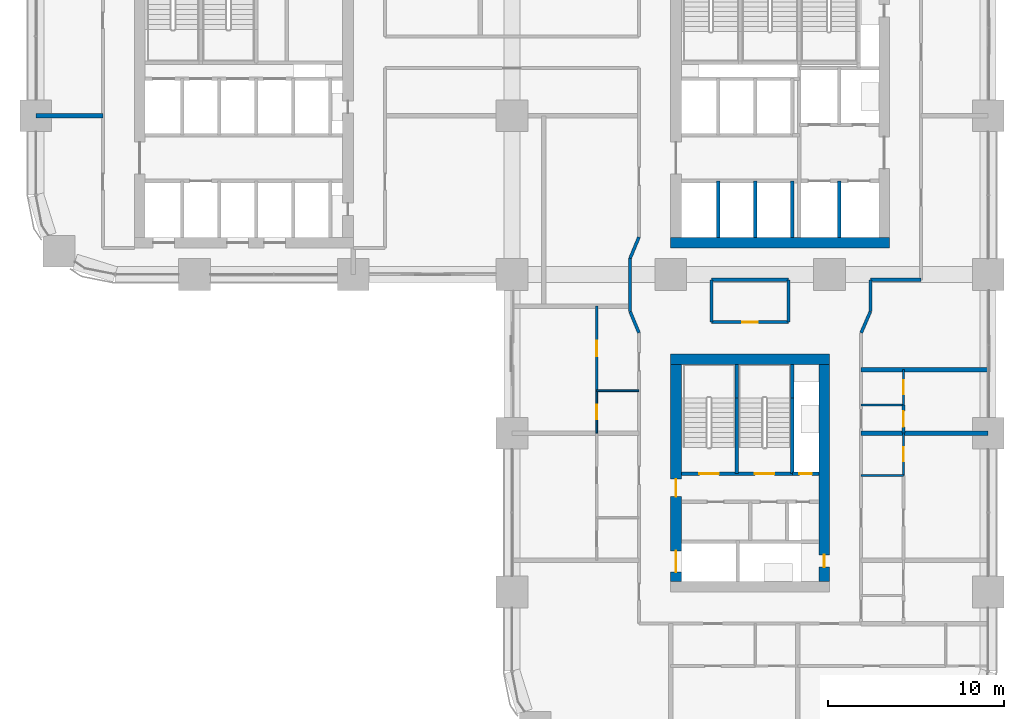
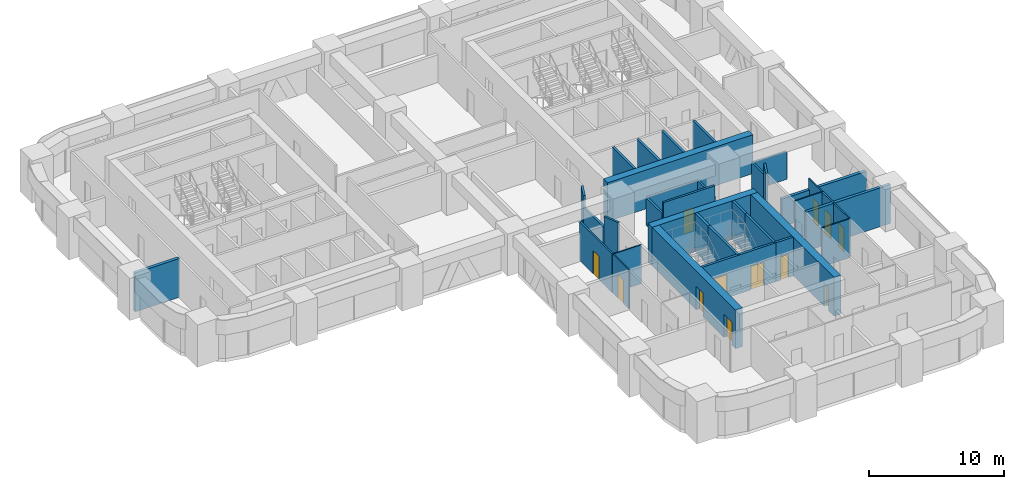
# One storey, part 14 of 24: 35 walls, 12 doors, 12 openings.
"""IFC4 building model written with IfcOpenShell, lengths in metres."""

from ifc_helpers import new_model, si_unit, direction, frame, frame_2d, origin, place, context, subcontext, project, spatial, rectangle, extrude, material, layer, layer_set, type_object, element, fill, save


model = new_model("IFC4")

# Units and contexts
model_context = context("Model", 3, precision=1e-05, world=origin(), true_north=direction((0.0, 1.0)))
body_context = subcontext(model_context, "Body", "Model", "MODEL_VIEW")
ifc_project = project(units=[si_unit("LENGTHUNIT", "METRE"), si_unit("AREAUNIT", "SQUARE_METRE"), si_unit("VOLUMEUNIT", "CUBIC_METRE"), si_unit("PLANEANGLEUNIT", "RADIAN"), si_unit("MASSUNIT", "GRAM", prefix="KILO")], contexts=[model_context])

# Site, building, storey
site_placement = place(None, origin())
site = spatial("IfcSite", under=ifc_project, at=site_placement, CompositionType="ELEMENT")
building_placement = place(site_placement, origin())
building = spatial("IfcBuilding", under=site, at=building_placement, Name="Tessera Arch", CompositionType="ELEMENT")
storey_placement = place(building_placement, frame((0.0, 0.0, 112.0)))
storey = spatial("IfcBuildingStorey", under=building, at=storey_placement, Name="L26", CompositionType="ELEMENT", Elevation=112.0)

# Walls
ifc_material_1 = material(Name="Concrete C70/85", Category="concrete")
ifc_layer_1 = layer(ifc_material_1, 0.60009765625)
ifc_layer_set_1 = layer_set([ifc_layer_1], Name="Core shell wall 600 C70-85")
wall_type_1 = type_object("IfcWallType", Name="Core shell wall 600 C70-85", PredefinedType="SHEAR", material=ifc_layer_set_1)
wall_1_placement = place(storey_placement, frame((36.0, 28.800048828125, 0.0), z_axis=(0.0, 0.0, 1.0), x_axis=(1.0, 0.0, 0.0)))
element("IfcWall", 1, at=wall_1_placement, inside=storey, type_object=wall_type_1, Name="L26 C1 core wall S", PredefinedType="SHEAR", context=body_context, shape_type="SweptSolid", body=[
    extrude(rectangle(XDim=12.39990234375, YDim=0.60009765625, at=frame_2d((6.199951171875, 0.0))), origin(), (0.0, 0.0, 1.0), 3.5),
])
wall_2_placement = place(storey_placement, frame((36.0, 22.199951171875, 0.0), z_axis=(0.0, 0.0, 1.0), x_axis=(1.0, 0.0, 0.0)))
element("IfcWall", 2, at=wall_2_placement, inside=storey, type_object=wall_type_1, Name="L26 C3 core wall N", PredefinedType="SHEAR", context=body_context, shape_type="SweptSolid", body=[
    extrude(rectangle(XDim=9.0, YDim=0.60009765625, at=frame_2d((4.5, 0.0))), origin(), (0.0, 0.0, 1.0), 3.5),
])

# Wall, openings, doors
wall_3_placement = place(storey_placement, frame((36.300048828125, 9.60009765625, 0.0), z_axis=(0.0, 0.0, 1.0), x_axis=(0.0, 1.0, 0.0)))
wall_3 = element("IfcWall", 3, at=wall_3_placement, inside=storey, type_object=wall_type_1, Name="L26 C3 core wall W", PredefinedType="SHEAR", context=body_context, shape_type="SweptSolid", body=[
    extrude(rectangle(XDim=12.2998046875, YDim=0.60009765625, at=frame_2d((6.14990234375, 0.0))), origin(), (0.0, 0.0, 1.0), 3.5),
])
opening_1_placement = place(wall_3_placement, frame((0.52490234375, 0.0, 0.0)))
opening_1 = element("IfcOpeningElement", 4, at=opening_1_placement, cuts=wall_3, Name="Opening L26-C33", PredefinedType="OPENING", context=body_context, shape_type="SweptSolid", body=[
    extrude(rectangle(XDim=1.199951171875, YDim=2.10009765625, at=frame_2d((0.60009765625, 1.050048828125))), frame((0.0, 0.31005859375, 0.0), z_axis=(0.0, -1.0, 0.0), x_axis=(1.0, 0.0, 0.0)), (0.0, 0.0, 1.0), 0.6201171875),
])
opening_2_placement = place(wall_3_placement, frame((4.800048828125, 0.0, 0.0)))
opening_2 = element("IfcOpeningElement", 5, at=opening_2_placement, cuts=wall_3, Name="Opening L26-C39", PredefinedType="OPENING", context=body_context, shape_type="SweptSolid", body=[
    extrude(rectangle(XDim=1.0, YDim=2.10009765625, at=frame_2d((0.5, 1.050048828125))), frame((0.0, 0.31005859375, 0.0), z_axis=(0.0, -1.0, 0.0), x_axis=(1.0, 0.0, 0.0)), (0.0, 0.0, 1.0), 0.6201171875),
])
ifc_material_2 = material(Name="Steel door leaf", Category="steel")
door_type_1 = type_object("IfcDoorType", Name="Corridor door FD60 1000 x 2100", OperationType="SINGLE_SWING_LEFT", PredefinedType="DOOR", material=ifc_material_2)
door_1_placement = place(opening_2_placement, origin())
door_1 = element("IfcDoor", 6, at=door_1_placement, inside=storey, type_object=door_type_1, Name="L26 C3 door 7 C39 type D12", OperationType="SINGLE_SWING_LEFT", OverallHeight=2.10009765625, OverallWidth=1.0, PredefinedType="DOOR", context=body_context, shape_type="SweptSolid", body=[
    extrude(rectangle(XDim=1.0, YDim=2.10009765625, at=frame_2d((0.5, 1.050048828125))), frame((0.0, 0.02490234375, 0.0), z_axis=(0.0, -1.0, 0.0), x_axis=(1.0, 0.0, 0.0)), (0.0, 0.0, 1.0), 0.050048828125),
])
fill(opening_2, door_1)
ifc_material_3 = material(Name="Stainless steel AISI 304", Category="steel")
door_type_2 = type_object("IfcDoorType", Name="Sliding landing door 1200 x 2100", OperationType="SLIDING_TO_LEFT", PredefinedType="DOOR", material=ifc_material_3)
door_2_placement = place(opening_1_placement, origin())
door_2 = element("IfcDoor", 7, at=door_2_placement, inside=storey, type_object=door_type_2, Name="L26 SV1 lift landing door C33 type LD", OperationType="SLIDING_TO_LEFT", OverallHeight=2.10009765625, OverallWidth=1.199951171875, PredefinedType="DOOR", context=body_context, shape_type="SweptSolid", body=[
    extrude(rectangle(XDim=1.199951171875, YDim=2.10009765625, at=frame_2d((0.60009765625, 1.050048828125))), frame((0.0, 0.02490234375, 0.0), z_axis=(0.0, -1.0, 0.0), x_axis=(1.0, 0.0, 0.0)), (0.0, 0.0, 1.0), 0.050048828125),
])
fill(opening_1, door_2)

# Wall, opening, door
wall_4_placement = place(storey_placement, frame((44.699951171875, 9.60009765625, 0.0), z_axis=(0.0, 0.0, 1.0), x_axis=(0.0, 1.0, 0.0)))
wall_4 = element("IfcWall", 8, at=wall_4_placement, inside=storey, type_object=wall_type_1, Name="L26 C3 core wall E", PredefinedType="SHEAR", context=body_context, shape_type="SweptSolid", body=[
    extrude(rectangle(XDim=12.2998046875, YDim=0.60009765625, at=frame_2d((6.14990234375, 0.0))), origin(), (0.0, 0.0, 1.0), 3.5),
])
opening_3_placement = place(wall_4_placement, frame((0.800048828125, 0.0, 0.0)))
opening_3 = element("IfcOpeningElement", 9, at=opening_3_placement, cuts=wall_4, Name="Opening L26-C38", PredefinedType="OPENING", context=body_context, shape_type="SweptSolid", body=[
    extrude(rectangle(XDim=0.699951171875, YDim=2.10009765625, at=frame_2d((0.35009765625, 1.050048828125))), frame((0.0, 0.31005859375, 0.0), z_axis=(0.0, -1.0, 0.0), x_axis=(1.0, 0.0, 0.0)), (0.0, 0.0, 1.0), 0.6201171875),
])
ifc_material_4 = material(Name="Steel door leaf", Category="steel")
door_type_3 = type_object("IfcDoorType", Name="Service shaft door FD60 700 x 2100", OperationType="SINGLE_SWING_LEFT", PredefinedType="DOOR", material=ifc_material_4)
door_3_placement = place(opening_3_placement, origin())
door_3 = element("IfcDoor", 10, at=door_3_placement, inside=storey, type_object=door_type_3, Name="L26 C3 door 6 C38 type D07", OperationType="SINGLE_SWING_LEFT", OverallHeight=2.10009765625, OverallWidth=0.699951171875, PredefinedType="DOOR", context=body_context, shape_type="SweptSolid", body=[
    extrude(rectangle(XDim=0.699951171875, YDim=2.10009765625, at=frame_2d((0.35009765625, 1.050048828125))), frame((0.0, 0.02490234375, 0.0), z_axis=(0.0, -1.0, 0.0), x_axis=(1.0, 0.0, 0.0)), (0.0, 0.0, 1.0), 0.050048828125),
])
fill(opening_3, door_3)

ifc_material_5 = material(Name="Gypsum board on deep steel stud with mineral wool", Category="steel")
ifc_layer_2 = layer(ifc_material_5, 0.175048828125)
ifc_layer_set_2 = layer_set([ifc_layer_2], Name="Corridor wall 175 EI 60")
wall_type_2 = type_object("IfcWallType", Name="Corridor wall 175 EI 60", PredefinedType="PARTITIONING", material=ifc_layer_set_2)
wall_5_placement = place(storey_placement, frame((38.320068359375, 24.300048828125, 0.0), z_axis=(0.0, 0.0, 1.0), x_axis=(1.0, 0.0, 0.0)))
wall_5 = element("IfcWall", 11, at=wall_5_placement, inside=storey, type_object=wall_type_2, Name="L26 partition 2", PredefinedType="PARTITIONING", context=body_context, shape_type="SweptSolid", body=[
    extrude(rectangle(XDim=4.35986328125, YDim=0.175048828125, at=frame_2d((2.179931640625, 0.0))), origin(), (0.0, 0.0, 1.0), 3.5),
])
opening_4_placement = place(wall_5_placement, frame((1.72998046875, 0.0, 0.0)))
opening_4 = element("IfcOpeningElement", 12, at=opening_4_placement, cuts=wall_5, Name="Opening L26-D023", PredefinedType="OPENING", context=body_context, shape_type="SweptSolid", body=[
    extrude(rectangle(XDim=0.89990234375, YDim=2.10009765625, at=frame_2d((0.449951171875, 1.050048828125))), frame((0.0, 0.097412109375, 0.0), z_axis=(0.0, -1.0, 0.0), x_axis=(1.0, 0.0, 0.0)), (0.0, 0.0, 1.0), 0.195068359375),
])
ifc_material_6 = material(Name="Timber door leaf", Category="wood")
door_type_4 = type_object("IfcDoorType", Name="Room door 900 x 2100", OperationType="SINGLE_SWING_LEFT", PredefinedType="DOOR", material=ifc_material_6)
door_4_placement = place(opening_4_placement, origin())
door_4 = element("IfcDoor", 13, at=door_4_placement, inside=storey, type_object=door_type_4, Name="L26 door D023 type D01", OperationType="SINGLE_SWING_LEFT", OverallHeight=2.10009765625, OverallWidth=0.89990234375, PredefinedType="DOOR", context=body_context, shape_type="SweptSolid", body=[
    extrude(rectangle(XDim=0.89990234375, YDim=2.10009765625, at=frame_2d((0.449951171875, 1.050048828125))), frame((0.0, 0.02490234375, 0.0), z_axis=(0.0, -1.0, 0.0), x_axis=(1.0, 0.0, 0.0)), (0.0, 0.0, 1.0), 0.050048828125),
])
fill(opening_4, door_4)

# Walls
wall_6_placement = place(storey_placement, frame((38.320068359375, 26.699951171875, 0.0), z_axis=(0.0, 0.0, 1.0), x_axis=(1.0, 0.0, 0.0)))
element("IfcWall", 14, at=wall_6_placement, inside=storey, type_object=wall_type_2, Name="L26 partition 3", PredefinedType="PARTITIONING", context=body_context, shape_type="SweptSolid", body=[
    extrude(rectangle(XDim=4.35986328125, YDim=0.175048828125, at=frame_2d((2.179931640625, 0.0))), origin(), (0.0, 0.0, 1.0), 2.5),
])
wall_7_placement = place(storey_placement, frame((47.320068359375, 26.699951171875, 0.0), z_axis=(0.0, 0.0, 1.0), x_axis=(1.0, 0.0, 0.0)))
element("IfcWall", 15, at=wall_7_placement, inside=storey, type_object=wall_type_2, Name="L26 partition 4", PredefinedType="PARTITIONING", context=body_context, shape_type="SweptSolid", body=[
    extrude(rectangle(XDim=2.8798828125, YDim=0.175048828125, at=frame_2d((1.43994140625, 0.0))), origin(), (0.0, 0.0, 1.0), 2.5),
])
wall_8_placement = place(storey_placement, frame((33.699951171875, 24.889892578125, 0.0), z_axis=(0.0, 0.0, 1.0), x_axis=(0.0, 1.0, 0.0)))
element("IfcWall", 16, at=wall_8_placement, inside=storey, type_object=wall_type_2, Name="L26 partition 14", PredefinedType="PARTITIONING", context=body_context, shape_type="SweptSolid", body=[
    extrude(rectangle(XDim=3.030029296875, YDim=0.175048828125, at=frame_2d((1.51513671875, 0.0))), origin(), (0.0, 0.0, 1.0), 2.5),
])
for number, where, z_axis, x_axis, name in (
    (17, (38.320068359375, 24.300048828125, 0.0), (0.0, 0.0, 1.0), (0.0, 1.0, 0.0), "L26 partition 18"),
    (18, (42.679931640625, 24.300048828125, 0.0), (0.0, 0.0, 1.0), (0.0, 1.0, 0.0), "L26 partition 19"),
):
    element("IfcWall", number, at=place(storey_placement, frame(where, z_axis=z_axis, x_axis=x_axis)), inside=storey, type_object=wall_type_2, Name=name, PredefinedType="PARTITIONING", context=body_context, shape_type="SweptSolid", body=[
        extrude(rectangle(XDim=2.39990234375, YDim=0.175048828125, at=frame_2d((1.199951171875, 0.0))), origin(), (0.0, 0.0, 1.0), 2.5),
    ])
wall_9_placement = place(storey_placement, frame((47.320068359375, 24.889892578125, 0.0), z_axis=(0.0, 0.0, 1.0), x_axis=(0.0, 1.0, 0.0)))
element("IfcWall", 19, at=wall_9_placement, inside=storey, type_object=wall_type_2, Name="L26 partition 21", PredefinedType="PARTITIONING", context=body_context, shape_type="SweptSolid", body=[
    extrude(rectangle(XDim=1.81005859375, YDim=0.175048828125, at=frame_2d((0.905029296875, 0.0))), origin(), (0.0, 0.0, 1.0), 2.5),
])
wall_10_placement = place(storey_placement, frame((34.199951171875, 23.68994140625, 0.0), z_axis=(0.0, 0.0, 1.0), x_axis=(-0.384628719983, 0.923071366561, 0.0)))
element("IfcWall", 20, at=wall_10_placement, inside=storey, type_object=wall_type_2, Name="L26 partition 66", PredefinedType="PARTITIONING", context=body_context, shape_type="SweptSolid", body=[
    extrude(rectangle(XDim=1.300048828125, YDim=0.175048828125, at=frame_2d((0.64990234375, 0.0))), origin(), (0.0, 0.0, 1.0), 3.5),
])
wall_11_placement = place(storey_placement, frame((47.320068359375, 24.889892578125, 0.0), z_axis=(0.0, 0.0, 1.0), x_axis=(-0.397633632391, -0.917544273804, 0.0)))
element("IfcWall", 21, at=wall_11_placement, inside=storey, type_object=wall_type_2, Name="L26 partition 67", PredefinedType="PARTITIONING", context=body_context, shape_type="SweptSolid", body=[
    extrude(rectangle(XDim=1.307861328125, YDim=0.175048828125, at=frame_2d((0.65380859375, 0.0))), origin(), (0.0, 0.0, 1.0), 3.5),
])
wall_12_placement = place(storey_placement, frame((33.699951171875, 27.919921875, 0.0), z_axis=(0.0, 0.0, 1.0), x_axis=(0.384562051588, 0.923099143363, 0.0)))
element("IfcWall", 22, at=wall_12_placement, inside=storey, type_object=wall_type_2, Name="L26 partition 68", PredefinedType="PARTITIONING", context=body_context, shape_type="SweptSolid", body=[
    extrude(rectangle(XDim=1.30029296875, YDim=0.175048828125, at=frame_2d((0.650146484375, 0.0))), origin(), (0.0, 0.0, 1.0), 3.5),
])

# Wall, opening, door
ifc_material_7 = material(Name="Gypsum board on steel stud", Category="steel")
ifc_layer_3 = layer(ifc_material_7, 0.14990234375)
ifc_layer_set_3 = layer_set([ifc_layer_3], Name="Partition 150")
wall_type_3 = type_object("IfcWallType", Name="Partition 150", PredefinedType="PARTITIONING", material=ifc_layer_set_3)
wall_13_placement = place(storey_placement, frame((31.800048828125, 20.39990234375, 0.0), z_axis=(0.0, 0.0, 1.0), x_axis=(0.0, 1.0, 0.0)))
wall_13 = element("IfcWall", 23, at=wall_13_placement, inside=storey, type_object=wall_type_3, Name="L26 partition 26", PredefinedType="PARTITIONING", context=body_context, shape_type="SweptSolid", body=[
    extrude(rectangle(XDim=4.800048828125, YDim=0.14990234375, at=frame_2d((2.39990234375, 0.0))), origin(), (0.0, 0.0, 1.0), 3.5),
])
opening_5_placement = place(wall_13_placement, frame((1.949951171875, 0.0, 0.0)))
opening_5 = element("IfcOpeningElement", 24, at=opening_5_placement, cuts=wall_13, Name="Opening L26-D021", PredefinedType="OPENING", context=body_context, shape_type="SweptSolid", body=[
    extrude(rectangle(XDim=0.89990234375, YDim=2.10009765625, at=frame_2d((0.449951171875, 1.050048828125))), frame((0.0, 0.0849609375, 0.0), z_axis=(0.0, -1.0, 0.0), x_axis=(1.0, 0.0, 0.0)), (0.0, 0.0, 1.0), 0.169921875),
])
door_5_placement = place(opening_5_placement, origin())
door_5 = element("IfcDoor", 25, at=door_5_placement, inside=storey, type_object=door_type_4, Name="L26 door D021 type D01", OperationType="SINGLE_SWING_LEFT", OverallHeight=2.10009765625, OverallWidth=0.89990234375, PredefinedType="DOOR", context=body_context, shape_type="SweptSolid", body=[
    extrude(rectangle(XDim=0.89990234375, YDim=2.10009765625, at=frame_2d((0.449951171875, 1.050048828125))), frame((0.0, 0.02490234375, 0.0), z_axis=(0.0, -1.0, 0.0), x_axis=(1.0, 0.0, 0.0)), (0.0, 0.0, 1.0), 0.050048828125),
])
fill(opening_5, door_5)

wall_14_placement = place(storey_placement, frame((49.199951171875, 18.0, 0.0), z_axis=(0.0, 0.0, 1.0), x_axis=(0.0, 1.0, 0.0)))
wall_14 = element("IfcWall", 26, at=wall_14_placement, inside=storey, type_object=wall_type_3, Name="L26 partition 29", PredefinedType="PARTITIONING", context=body_context, shape_type="SweptSolid", body=[
    extrude(rectangle(XDim=1.60009765625, YDim=0.14990234375, at=frame_2d((0.800048828125, 0.0))), origin(), (0.0, 0.0, 1.0), 3.5),
])
opening_6_placement = place(wall_14_placement, frame((0.35009765625, 0.0, 0.0)))
opening_6 = element("IfcOpeningElement", 27, at=opening_6_placement, cuts=wall_14, Name="Opening L26-D018", PredefinedType="OPENING", context=body_context, shape_type="SweptSolid", body=[
    extrude(rectangle(XDim=0.89990234375, YDim=2.10009765625, at=frame_2d((0.449951171875, 1.050048828125))), frame((0.0, 0.0849609375, 0.0), z_axis=(0.0, -1.0, 0.0), x_axis=(1.0, 0.0, 0.0)), (0.0, 0.0, 1.0), 0.169921875),
])
door_6_placement = place(opening_6_placement, origin())
door_6 = element("IfcDoor", 28, at=door_6_placement, inside=storey, type_object=door_type_4, Name="L26 door D018 type D01", OperationType="SINGLE_SWING_LEFT", OverallHeight=2.10009765625, OverallWidth=0.89990234375, PredefinedType="DOOR", context=body_context, shape_type="SweptSolid", body=[
    extrude(rectangle(XDim=0.89990234375, YDim=2.10009765625, at=frame_2d((0.449951171875, 1.050048828125))), frame((0.0, 0.02490234375, 0.0), z_axis=(0.0, -1.0, 0.0), x_axis=(1.0, 0.0, 0.0)), (0.0, 0.0, 1.0), 0.050048828125),
])
fill(opening_6, door_6)

# Walls
ifc_material_8 = material(Name="Double gypsum board on twin steel stud with acoustic mineral wool", Category="steel")
ifc_layer_4 = layer(ifc_material_8, 0.25)
ifc_layer_set_4 = layer_set([ifc_layer_4], Name="Party wall 250 EI 60")
wall_type_4 = type_object("IfcWallType", Name="Party wall 250 EI 60", PredefinedType="PARTITIONING", material=ifc_layer_set_4)
wall_15_placement = place(storey_placement, frame((46.800048828125, 18.0, 0.0), z_axis=(0.0, 0.0, 1.0), x_axis=(1.0, 0.0, 0.0)))
element("IfcWall", 29, at=wall_15_placement, inside=storey, type_object=wall_type_4, Name="L26 partition 34", PredefinedType="PARTITIONING", context=body_context, shape_type="SweptSolid", body=[
    extrude(rectangle(XDim=7.199951171875, YDim=0.25, at=frame_2d((3.60009765625, 0.0))), origin(), (0.0, 0.0, 1.0), 3.5),
])
wall_16_placement = place(storey_placement, frame((46.800048828125, 21.60009765625, 0.0), z_axis=(0.0, 0.0, 1.0), x_axis=(1.0, 0.0, 0.0)))
element("IfcWall", 30, at=wall_16_placement, inside=storey, type_object=wall_type_4, Name="L26 partition 35", PredefinedType="PARTITIONING", context=body_context, shape_type="SweptSolid", body=[
    extrude(rectangle(XDim=7.199951171875, YDim=0.25, at=frame_2d((3.60009765625, 0.0))), origin(), (0.0, 0.0, 1.0), 2.5),
])
wall_17_placement = place(storey_placement, frame((0.0, 36.0, 0.0), z_axis=(0.0, 0.0, 1.0), x_axis=(1.0, 0.0, 0.0)))
element("IfcWall", 31, at=wall_17_placement, inside=storey, type_object=wall_type_4, Name="L26 partition 37", PredefinedType="PARTITIONING", context=body_context, shape_type="SweptSolid", body=[
    extrude(rectangle(XDim=3.800048828125, YDim=0.25, at=frame_2d((1.89990234375, 0.0))), origin(), (0.0, 0.0, 1.0), 3.5),
])
ifc_material_9 = material(Name="Concrete C40/50", Category="concrete")
ifc_layer_5 = layer(ifc_material_9, 0.199951171875)
ifc_layer_set_5 = layer_set([ifc_layer_5], Name="Shaft wall 200 EI 120")
wall_type_5 = type_object("IfcWallType", Name="Shaft wall 200 EI 120", PredefinedType="SOLIDWALL", material=ifc_layer_set_5)
for number, where, z_axis, x_axis, name in (
    (32, (38.699951171875, 29.10009765625, 0.0), (0.0, 0.0, 1.0), (0.0, 1.0, 0.0), "L26 C1 shaft wall 1"),
    (33, (40.800048828125, 29.10009765625, 0.0), (0.0, 0.0, 1.0), (0.0, 1.0, 0.0), "L26 C1 shaft wall 5"),
    (34, (42.89990234375, 29.10009765625, 0.0), (0.0, 0.0, 1.0), (0.0, 1.0, 0.0), "L26 C1 shaft wall 8"),
    (35, (45.550048828125, 29.10009765625, 0.0), (0.0, 0.0, 1.0), (0.0, 1.0, 0.0), "L26 C1 shaft wall 13"),
):
    element("IfcWall", number, at=place(storey_placement, frame(where, z_axis=z_axis, x_axis=x_axis)), inside=storey, type_object=wall_type_5, Name=name, PredefinedType="SOLIDWALL", context=body_context, shape_type="SweptSolid", body=[
        extrude(rectangle(XDim=3.199951171875, YDim=0.199951171875, at=frame_2d((1.60009765625, 0.0))), origin(), (0.0, 0.0, 1.0), 3.5),
    ])

# Wall, opening, door
wall_18_placement = place(storey_placement, frame((42.89990234375, 15.699951171875, 0.0), z_axis=(0.0, 0.0, 1.0), x_axis=(1.0, 0.0, 0.0)))
wall_18 = element("IfcWall", 36, at=wall_18_placement, inside=storey, type_object=wall_type_5, Name="L26 C3 shaft wall 11", PredefinedType="SOLIDWALL", context=body_context, shape_type="SweptSolid", body=[
    extrude(rectangle(XDim=1.5, YDim=0.199951171875, at=frame_2d((0.75, 0.0))), origin(), (0.0, 0.0, 1.0), 3.5),
])
opening_7_placement = place(wall_18_placement, frame((0.39990234375, 0.0, 0.0)))
opening_7 = element("IfcOpeningElement", 37, at=opening_7_placement, cuts=wall_18, Name="Opening L26-C36", PredefinedType="OPENING", context=body_context, shape_type="SweptSolid", body=[
    extrude(rectangle(XDim=0.699951171875, YDim=2.10009765625, at=frame_2d((0.35009765625, 1.050048828125))), frame((0.0, 0.10986328125, 0.0), z_axis=(0.0, -1.0, 0.0), x_axis=(1.0, 0.0, 0.0)), (0.0, 0.0, 1.0), 0.219970703125),
])
door_7_placement = place(opening_7_placement, origin())
door_7 = element("IfcDoor", 38, at=door_7_placement, inside=storey, type_object=door_type_3, Name="L26 C3 door 4 C36 type D07", OperationType="SINGLE_SWING_LEFT", OverallHeight=2.10009765625, OverallWidth=0.699951171875, PredefinedType="DOOR", context=body_context, shape_type="SweptSolid", body=[
    extrude(rectangle(XDim=0.699951171875, YDim=2.10009765625, at=frame_2d((0.35009765625, 1.050048828125))), frame((0.0, 0.02490234375, 0.0), z_axis=(0.0, -1.0, 0.0), x_axis=(1.0, 0.0, 0.0)), (0.0, 0.0, 1.0), 0.050048828125),
])
fill(opening_7, door_7)

# Walls
ifc_material_10 = material(Name="Concrete C40/50", Category="concrete")
ifc_layer_6 = layer(ifc_material_10, 0.199951171875)
ifc_layer_set_6 = layer_set([ifc_layer_6], Name="Stair well wall 200 REI 180")
wall_type_6 = type_object("IfcWallType", Name="Stair well wall 200 REI 180", PredefinedType="SOLIDWALL", material=ifc_layer_set_6)
wall_19_placement = place(storey_placement, frame((39.75, 15.699951171875, 0.0), z_axis=(0.0, 0.0, 1.0), x_axis=(0.0, 1.0, 0.0)))
element("IfcWall", 39, at=wall_19_placement, inside=storey, type_object=wall_type_6, Name="L26 C3 shaft wall 1", PredefinedType="SOLIDWALL", context=body_context, shape_type="SweptSolid", body=[
    extrude(rectangle(XDim=4.300048828125, YDim=0.199951171875, at=frame_2d((2.14990234375, 0.0))), origin(), (0.0, 0.0, 1.0), 3.5),
])
wall_20_placement = place(storey_placement, frame((39.75, 20.0, 0.0), z_axis=(0.0, 0.0, 1.0), x_axis=(0.0, 1.0, 0.0)))
element("IfcWall", 40, at=wall_20_placement, inside=storey, type_object=wall_type_6, Name="L26 C3 shaft wall 2", PredefinedType="SOLIDWALL", context=body_context, shape_type="SweptSolid", body=[
    extrude(rectangle(XDim=1.89990234375, YDim=0.199951171875, at=frame_2d((0.949951171875, 0.0))), origin(), (0.0, 0.0, 1.0), 3.5),
])
wall_21_placement = place(storey_placement, frame((42.89990234375, 15.699951171875, 0.0), z_axis=(0.0, 0.0, 1.0), x_axis=(0.0, 1.0, 0.0)))
element("IfcWall", 41, at=wall_21_placement, inside=storey, type_object=wall_type_6, Name="L26 C3 shaft wall 6", PredefinedType="SOLIDWALL", context=body_context, shape_type="SweptSolid", body=[
    extrude(rectangle(XDim=4.300048828125, YDim=0.199951171875, at=frame_2d((2.14990234375, 0.0))), origin(), (0.0, 0.0, 1.0), 3.5),
])
wall_22_placement = place(storey_placement, frame((42.89990234375, 20.0, 0.0), z_axis=(0.0, 0.0, 1.0), x_axis=(0.0, 1.0, 0.0)))
element("IfcWall", 42, at=wall_22_placement, inside=storey, type_object=wall_type_6, Name="L26 C3 shaft wall 7", PredefinedType="SOLIDWALL", context=body_context, shape_type="SweptSolid", body=[
    extrude(rectangle(XDim=1.89990234375, YDim=0.199951171875, at=frame_2d((0.949951171875, 0.0))), origin(), (0.0, 0.0, 1.0), 3.5),
])

# Wall, openings, doors
wall_23_placement = place(storey_placement, frame((36.60009765625, 15.699951171875, 0.0), z_axis=(0.0, 0.0, 1.0), x_axis=(1.0, 0.0, 0.0)))
wall_23 = element("IfcWall", 43, at=wall_23_placement, inside=storey, type_object=wall_type_6, Name="L26 C3 shaft wall 12", PredefinedType="SOLIDWALL", context=body_context, shape_type="SweptSolid", body=[
    extrude(rectangle(XDim=6.2998046875, YDim=0.199951171875, at=frame_2d((3.14990234375, 0.0))), origin(), (0.0, 0.0, 1.0), 3.5),
])
opening_8_placement = place(wall_23_placement, frame((1.02490234375, 0.0, 0.0)))
opening_8 = element("IfcOpeningElement", 44, at=opening_8_placement, cuts=wall_23, Name="Opening L26-C34", PredefinedType="OPENING", context=body_context, shape_type="SweptSolid", body=[
    extrude(rectangle(XDim=1.10009765625, YDim=2.10009765625, at=frame_2d((0.550048828125, 1.050048828125))), frame((0.0, 0.10986328125, 0.0), z_axis=(0.0, -1.0, 0.0), x_axis=(1.0, 0.0, 0.0)), (0.0, 0.0, 1.0), 0.219970703125),
])
opening_9_placement = place(wall_23_placement, frame((4.175048828125, 0.0, 0.0)))
opening_9 = element("IfcOpeningElement", 45, at=opening_9_placement, cuts=wall_23, Name="Opening L26-C35", PredefinedType="OPENING", context=body_context, shape_type="SweptSolid", body=[
    extrude(rectangle(XDim=1.10009765625, YDim=2.10009765625, at=frame_2d((0.550048828125, 1.050048828125))), frame((0.0, 0.10986328125, 0.0), z_axis=(0.0, -1.0, 0.0), x_axis=(1.0, 0.0, 0.0)), (0.0, 0.0, 1.0), 0.219970703125),
])
ifc_material_11 = material(Name="Steel door leaf", Category="steel")
door_type_5 = type_object("IfcDoorType", Name="Stair door FD60 1100 x 2100", OperationType="SINGLE_SWING_LEFT", PredefinedType="DOOR", material=ifc_material_11)
door_8_placement = place(opening_8_placement, origin())
door_8 = element("IfcDoor", 46, at=door_8_placement, inside=storey, type_object=door_type_5, Name="L26 C3 door 2 C34 type D05", OperationType="SINGLE_SWING_LEFT", OverallHeight=2.10009765625, OverallWidth=1.10009765625, PredefinedType="DOOR", context=body_context, shape_type="SweptSolid", body=[
    extrude(rectangle(XDim=1.10009765625, YDim=2.10009765625, at=frame_2d((0.550048828125, 1.050048828125))), frame((0.0, 0.02490234375, 0.0), z_axis=(0.0, -1.0, 0.0), x_axis=(1.0, 0.0, 0.0)), (0.0, 0.0, 1.0), 0.050048828125),
])
fill(opening_8, door_8)
door_9_placement = place(opening_9_placement, origin())
door_9 = element("IfcDoor", 47, at=door_9_placement, inside=storey, type_object=door_type_5, Name="L26 C3 door 3 C35 type D05", OperationType="SINGLE_SWING_RIGHT", OverallHeight=2.10009765625, OverallWidth=1.10009765625, PredefinedType="DOOR", context=body_context, shape_type="SweptSolid", body=[
    extrude(rectangle(XDim=1.10009765625, YDim=2.10009765625, at=frame_2d((0.550048828125, 1.050048828125))), frame((0.0, 0.02490234375, 0.0), z_axis=(0.0, -1.0, 0.0), x_axis=(1.0, 0.0, 0.0)), (0.0, 0.0, 1.0), 0.050048828125),
])
fill(opening_9, door_9)

# Walls
ifc_material_12 = material(Name="Moisture-resistant board on pre-plumbed steel stud", Category="steel")
ifc_layer_7 = layer(ifc_material_12, 0.10009765625)
ifc_layer_set_7 = layer_set([ifc_layer_7], Name="Wet wall 100")
wall_type_7 = type_object("IfcWallType", Name="Wet wall 100", PredefinedType="PARTITIONING", material=ifc_layer_set_7)
for number, where, z_axis, x_axis, name in (
    (48, (46.800048828125, 15.60009765625, 0.0), (0.0, 0.0, 1.0), (1.0, 0.0, 0.0), "L26 partition 56"),
    (49, (46.800048828125, 19.60009765625, 0.0), (0.0, 0.0, 1.0), (1.0, 0.0, 0.0), "L26 partition 57"),
    (50, (31.800048828125, 20.39990234375, 0.0), (0.0, 0.0, 1.0), (1.0, 0.0, 0.0), "L26 partition 58"),
):
    element("IfcWall", number, at=place(storey_placement, frame(where, z_axis=z_axis, x_axis=x_axis)), inside=storey, type_object=wall_type_7, Name=name, PredefinedType="PARTITIONING", context=body_context, shape_type="SweptSolid", body=[
        extrude(rectangle(XDim=2.39990234375, YDim=0.10009765625, at=frame_2d((1.199951171875, 0.0))), origin(), (0.0, 0.0, 1.0), 3.5),
    ])

# Wall, opening, door
wall_24_placement = place(storey_placement, frame((31.800048828125, 18.0, 0.0), z_axis=(0.0, 0.0, 1.0), x_axis=(0.0, 1.0, 0.0)))
wall_24 = element("IfcWall", 51, at=wall_24_placement, inside=storey, type_object=wall_type_7, Name="L26 partition 60", PredefinedType="PARTITIONING", context=body_context, shape_type="SweptSolid", body=[
    extrude(rectangle(XDim=2.39990234375, YDim=0.10009765625, at=frame_2d((1.199951171875, 0.0))), origin(), (0.0, 0.0, 1.0), 3.5),
])
opening_10_placement = place(wall_24_placement, frame((0.800048828125, 0.0, 0.0)))
opening_10 = element("IfcOpeningElement", 52, at=opening_10_placement, cuts=wall_24, Name="Opening L26-D022", PredefinedType="OPENING", context=body_context, shape_type="SweptSolid", body=[
    extrude(rectangle(XDim=0.800048828125, YDim=2.10009765625, at=frame_2d((0.39990234375, 1.050048828125))), frame((0.0, 0.06005859375, 0.0), z_axis=(0.0, -1.0, 0.0), x_axis=(1.0, 0.0, 0.0)), (0.0, 0.0, 1.0), 0.1201171875),
])
ifc_material_13 = material(Name="Timber door leaf", Category="wood")
door_type_6 = type_object("IfcDoorType", Name="En-suite door 800 x 2100", OperationType="SINGLE_SWING_LEFT", PredefinedType="DOOR", material=ifc_material_13)
door_10_placement = place(opening_10_placement, origin())
door_10 = element("IfcDoor", 53, at=door_10_placement, inside=storey, type_object=door_type_6, Name="L26 door D022 type D02", OperationType="SINGLE_SWING_RIGHT", OverallHeight=2.10009765625, OverallWidth=0.800048828125, PredefinedType="DOOR", context=body_context, shape_type="SweptSolid", body=[
    extrude(rectangle(XDim=0.800048828125, YDim=2.10009765625, at=frame_2d((0.39990234375, 1.050048828125))), frame((0.0, 0.02490234375, 0.0), z_axis=(0.0, -1.0, 0.0), x_axis=(1.0, 0.0, 0.0)), (0.0, 0.0, 1.0), 0.050048828125),
])
fill(opening_10, door_10)

wall_25_placement = place(storey_placement, frame((49.199951171875, 15.60009765625, 0.0), z_axis=(0.0, 0.0, 1.0), x_axis=(0.0, 1.0, 0.0)))
wall_25 = element("IfcWall", 54, at=wall_25_placement, inside=storey, type_object=wall_type_7, Name="L26 partition 63", PredefinedType="PARTITIONING", context=body_context, shape_type="SweptSolid", body=[
    extrude(rectangle(XDim=2.39990234375, YDim=0.10009765625, at=frame_2d((1.199951171875, 0.0))), origin(), (0.0, 0.0, 1.0), 3.5),
])
opening_11_placement = place(wall_25_placement, frame((0.800048828125, 0.0, 0.0)))
opening_11 = element("IfcOpeningElement", 55, at=opening_11_placement, cuts=wall_25, Name="Opening L26-D016", PredefinedType="OPENING", context=body_context, shape_type="SweptSolid", body=[
    extrude(rectangle(XDim=0.800048828125, YDim=2.10009765625, at=frame_2d((0.39990234375, 1.050048828125))), frame((0.0, 0.06005859375, 0.0), z_axis=(0.0, -1.0, 0.0), x_axis=(1.0, 0.0, 0.0)), (0.0, 0.0, 1.0), 0.1201171875),
])
door_11_placement = place(opening_11_placement, origin())
door_11 = element("IfcDoor", 56, at=door_11_placement, inside=storey, type_object=door_type_6, Name="L26 door D016 type D02", OperationType="SINGLE_SWING_LEFT", OverallHeight=2.10009765625, OverallWidth=0.800048828125, PredefinedType="DOOR", context=body_context, shape_type="SweptSolid", body=[
    extrude(rectangle(XDim=0.800048828125, YDim=2.10009765625, at=frame_2d((0.39990234375, 1.050048828125))), frame((0.0, 0.02490234375, 0.0), z_axis=(0.0, -1.0, 0.0), x_axis=(1.0, 0.0, 0.0)), (0.0, 0.0, 1.0), 0.050048828125),
])
fill(opening_11, door_11)

wall_26_placement = place(storey_placement, frame((49.199951171875, 19.60009765625, 0.0), z_axis=(0.0, 0.0, 1.0), x_axis=(0.0, 1.0, 0.0)))
wall_26 = element("IfcWall", 57, at=wall_26_placement, inside=storey, type_object=wall_type_7, Name="L26 partition 64", PredefinedType="PARTITIONING", context=body_context, shape_type="SweptSolid", body=[
    extrude(rectangle(XDim=2.0, YDim=0.10009765625, at=frame_2d((1.0, 0.0))), origin(), (0.0, 0.0, 1.0), 3.5),
])
opening_12_placement = place(wall_26_placement, frame((0.60009765625, 0.0, 0.0)))
opening_12 = element("IfcOpeningElement", 58, at=opening_12_placement, cuts=wall_26, Name="Opening L26-D019", PredefinedType="OPENING", context=body_context, shape_type="SweptSolid", body=[
    extrude(rectangle(XDim=0.800048828125, YDim=2.10009765625, at=frame_2d((0.39990234375, 1.050048828125))), frame((0.0, 0.06005859375, 0.0), z_axis=(0.0, -1.0, 0.0), x_axis=(1.0, 0.0, 0.0)), (0.0, 0.0, 1.0), 0.1201171875),
])
door_12_placement = place(opening_12_placement, origin())
door_12 = element("IfcDoor", 59, at=door_12_placement, inside=storey, type_object=door_type_6, Name="L26 door D019 type D02", OperationType="SINGLE_SWING_RIGHT", OverallHeight=2.10009765625, OverallWidth=0.800048828125, PredefinedType="DOOR", context=body_context, shape_type="SweptSolid", body=[
    extrude(rectangle(XDim=0.800048828125, YDim=2.10009765625, at=frame_2d((0.39990234375, 1.050048828125))), frame((0.0, 0.02490234375, 0.0), z_axis=(0.0, -1.0, 0.0), x_axis=(1.0, 0.0, 0.0)), (0.0, 0.0, 1.0), 0.050048828125),
])
fill(opening_12, door_12)

save(model, "model.ifc")
